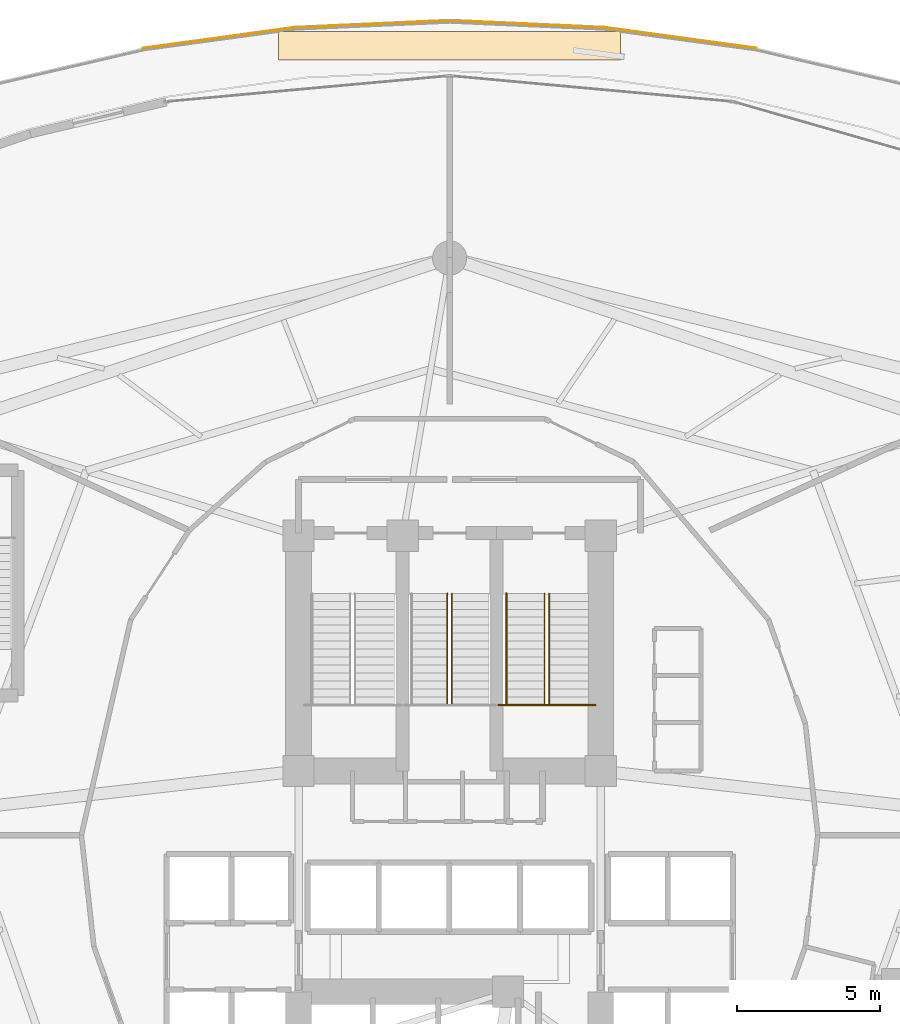
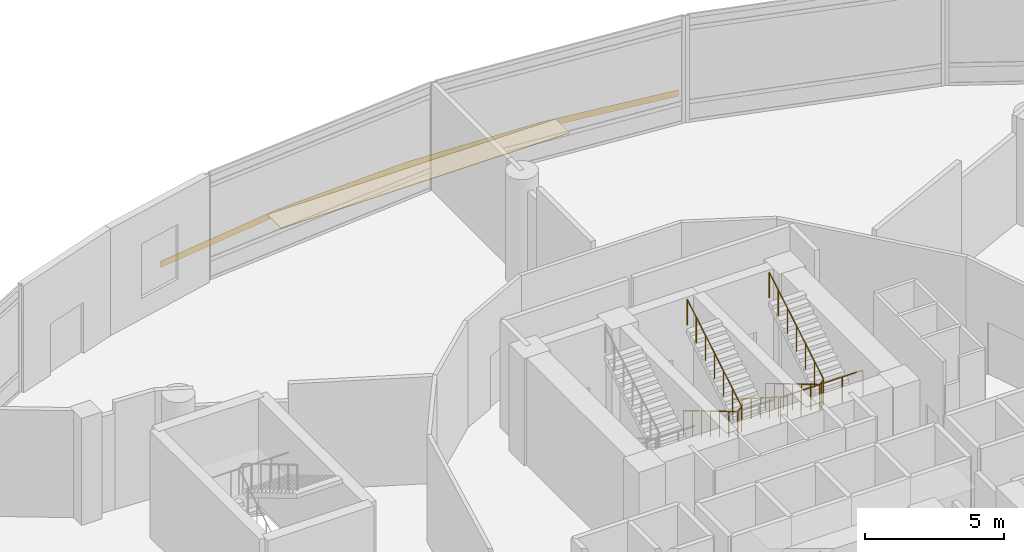
# One storey, part 35 of 37: 4 railings, 2 coverings.
"""IFC4 building model written with IfcOpenShell, lengths in metres."""

from ifc_helpers import new_model, si_unit, direction, frame, origin, place, context, subcontext, project, spatial, polyline, outline, extrude, material, layer, layer_set, type_object, element, save


model = new_model("IFC4")

# Units and contexts
model_context = context("Model", 3, precision=1e-05, world=origin(), true_north=direction((0.0, 1.0)))
body_context = subcontext(model_context, "Body", "Model", "MODEL_VIEW")
ifc_project = project(units=[si_unit("LENGTHUNIT", "METRE"), si_unit("AREAUNIT", "SQUARE_METRE"), si_unit("VOLUMEUNIT", "CUBIC_METRE"), si_unit("PLANEANGLEUNIT", "RADIAN"), si_unit("MASSUNIT", "GRAM", prefix="KILO")], contexts=[model_context])

# Site, building, storey
site_placement = place(None, origin())
site = spatial("IfcSite", under=ifc_project, at=site_placement, CompositionType="ELEMENT")
building_placement = place(site_placement, origin())
building = spatial("IfcBuilding", under=site, at=building_placement, Name="Nuhasar Tower", CompositionType="ELEMENT")
storey_placement = place(building_placement, frame((0.0, 0.0, 6.0)))
storey = spatial("IfcBuildingStorey", under=building, at=storey_placement, Name="L01", CompositionType="ELEMENT", Elevation=6.0)

# Coverings
ifc_material_1 = material(Name="Aluminium 6063-T6", Category="aluminium")
ifc_layer_1 = layer(ifc_material_1, 0.014892578125)
ifc_layer_set_1 = layer_set([ifc_layer_1], Name="Aluminium 6063-T6")
covering_type_1 = type_object("IfcCoveringType", Name="COV-CLD-BRZ15", PredefinedType="CLADDING", material=ifc_layer_set_1)
covering_1_placement = place(storey_placement, frame((0.0, 0.0, -0.280029296875)))
element("IfcCovering", 1, at=covering_1_placement, inside=storey, type_object=covering_type_1, Name="L01 Bustan Terrace Bronze Fascia Cladding North", PredefinedType="CLADDING", context=body_context, shape_type="SweptSolid", body=[
    extrude(outline(polyline([(49.76708984375, 54.425048828125), (44.429931640625, 55.155029296875), (39.0, 55.39990234375), (33.570068359375, 55.155029296875), (28.23291015625, 54.425048828125), (28.237060546875, 54.410888671875), (33.572021484375, 55.139892578125), (39.0, 55.385009765625), (44.427978515625, 55.139892578125), (49.762939453125, 54.410888671875), (49.76708984375, 54.425048828125)])), origin(), (0.0, 0.0, 1.0), 0.280029296875),
])
ifc_material_2 = material(Name="EPDM Membrane", Category="bitumen")
ifc_layer_2 = layer(ifc_material_2, 0.030029296875)
ifc_layer_set_2 = layer_set([ifc_layer_2], Name="EPDM Membrane")
covering_type_2 = type_object("IfcCoveringType", Name="COV-ROOF-MEM30", PredefinedType="ROOFING", material=ifc_layer_set_2)
covering_2_placement = place(storey_placement, origin())
element("IfcCovering", 2, at=covering_2_placement, inside=storey, type_object=covering_type_2, Name="L01 Waterproofing Roof Membrane Strip 01", PredefinedType="ROOFING", context=body_context, shape_type="SweptSolid", body=[
    extrude(outline(polyline([(33.0, 54.0), (45.0, 54.0), (45.0, 55.0), (33.0, 55.0), (33.0, 54.0)])), origin(), (0.0, 0.0, 1.0), 0.030029296875),
])

# Railings
ifc_material_3 = material(Name="Steel S355", Category="steel")
railing_type_1 = type_object("IfcRailingType", Name="RLG-STAIR-GUARD-1150", PredefinedType="GUARDRAIL", material=ifc_material_3)
railing_1_placement = place(storey_placement, frame((38.919921875, 35.284912109375, 0.1669921875)))
element("IfcRailing", 3, at=railing_1_placement, inside=storey, type_object=railing_type_1, Name="L01 Stair ST-03 Guardrail SLT", PredefinedType="GUARDRAIL", context=body_context, shape_type="SweptSolid", body=[
    extrude(outline(polyline([(0.024169921875, 0.0), (0.01708984375, 0.01708984375), (0.0, 0.024169921875), (-0.01708984375, 0.01708984375), (-0.024169921875, 0.0), (-0.01708984375, -0.01708984375), (0.0, -0.024169921875), (0.01708984375, -0.01708984375), (0.024169921875, 0.0)])), frame((0.0, 0.0, 1.1259765625), z_axis=(0.0, -0.85931976652, 0.511438695121), x_axis=(1.0, 0.0, 0.0)), (0.0, 0.0, 1.0), 4.561767578125),
    extrude(outline(polyline([(0.024169921875, 0.0), (0.01708984375, 0.01708984375), (0.0, 0.024169921875), (-0.01708984375, 0.01708984375), (-0.024169921875, 0.0), (-0.01708984375, -0.01708984375), (0.0, -0.024169921875), (0.01708984375, -0.01708984375), (0.024169921875, 0.0)])), frame((0.0, -3.919921875, 3.458984375), z_axis=(0.692180321226, 0.0, 0.72172460323), x_axis=(0.0, 1.0, 0.0)), (0.0, 0.0, 1.0), 0.2314453125),
    extrude(outline(polyline([(0.024169921875, 0.0), (0.01708984375, 0.01708984375), (0.0, 0.024169921875), (-0.01708984375, 0.01708984375), (-0.024169921875, 0.0), (-0.01708984375, -0.01708984375), (0.0, -0.024169921875), (0.01708984375, -0.01708984375), (0.024169921875, 0.0)])), frame((0.16015625, -3.919921875, 3.6259765625), z_axis=(0.0, 0.85931976652, 0.511438695121), x_axis=(-1.0, 0.0, 0.0)), (0.0, 0.0, 1.0), 4.561767578125),
    extrude(outline(polyline([(0.02099609375, 0.0), (0.014892578125, 0.014892578125), (0.0, 0.02099609375), (-0.014892578125, 0.014892578125), (-0.02099609375, 0.0), (-0.014892578125, -0.014892578125), (0.0, -0.02099609375), (0.014892578125, -0.014892578125), (0.02099609375, 0.0)])), origin(), (0.0, 0.0, 1.0), 1.101806640625),
    extrude(outline(polyline([(0.02099609375, 0.0), (0.014892578125, 0.014892578125), (0.0, 0.02099609375), (-0.014892578125, 0.014892578125), (-0.02099609375, 0.0), (-0.014892578125, -0.014892578125), (0.0, -0.02099609375), (0.014892578125, -0.014892578125), (0.02099609375, 0.0)])), frame((0.0, -0.6533203125, 0.388916015625)), (0.0, 0.0, 1.0), 1.101806640625),
    extrude(outline(polyline([(0.02099609375, 0.0), (0.014892578125, 0.014892578125), (0.0, 0.02099609375), (-0.014892578125, 0.014892578125), (-0.02099609375, 0.0), (-0.014892578125, -0.014892578125), (0.0, -0.02099609375), (0.014892578125, -0.014892578125), (0.02099609375, 0.0)])), frame((0.0, -1.306640625, 0.777587890625)), (0.0, 0.0, 1.0), 1.101806640625),
    extrude(outline(polyline([(0.02099609375, 0.0), (0.014892578125, 0.014892578125), (0.0, 0.02099609375), (-0.014892578125, 0.014892578125), (-0.02099609375, 0.0), (-0.014892578125, -0.014892578125), (0.0, -0.02099609375), (0.014892578125, -0.014892578125), (0.02099609375, 0.0)])), frame((0.0, -1.9599609375, 1.16650390625)), (0.0, 0.0, 1.0), 1.101806640625),
    extrude(outline(polyline([(0.02099609375, 0.0), (0.014892578125, 0.014892578125), (0.0, 0.02099609375), (-0.014892578125, 0.014892578125), (-0.02099609375, 0.0), (-0.014892578125, -0.014892578125), (0.0, -0.02099609375), (0.014892578125, -0.014892578125), (0.02099609375, 0.0)])), frame((0.0, -2.61328125, 1.555419921875)), (0.0, 0.0, 1.0), 1.101806640625),
    extrude(outline(polyline([(0.02099609375, 0.0), (0.014892578125, 0.014892578125), (0.0, 0.02099609375), (-0.014892578125, 0.014892578125), (-0.02099609375, 0.0), (-0.014892578125, -0.014892578125), (0.0, -0.02099609375), (0.014892578125, -0.014892578125), (0.02099609375, 0.0)])), frame((0.0, -3.2666015625, 1.944091796875)), (0.0, 0.0, 1.0), 1.101806640625),
    extrude(outline(polyline([(0.02099609375, 0.0), (0.014892578125, 0.014892578125), (0.0, 0.02099609375), (-0.014892578125, 0.014892578125), (-0.02099609375, 0.0), (-0.014892578125, -0.014892578125), (0.0, -0.02099609375), (0.014892578125, -0.014892578125), (0.02099609375, 0.0)])), frame((0.0, -3.919921875, 2.3330078125)), (0.0, 0.0, 1.0), 1.101806640625),
    extrude(outline(polyline([(0.02099609375, 0.0), (0.014892578125, 0.014892578125), (0.0, 0.02099609375), (-0.014892578125, 0.014892578125), (-0.02099609375, 0.0), (-0.014892578125, -0.014892578125), (0.0, -0.02099609375), (0.014892578125, -0.014892578125), (0.02099609375, 0.0)])), frame((0.16015625, -3.919921875, 2.5)), (0.0, 0.0, 1.0), 1.101806640625),
    extrude(outline(polyline([(0.02099609375, 0.0), (0.014892578125, 0.014892578125), (0.0, 0.02099609375), (-0.014892578125, 0.014892578125), (-0.02099609375, 0.0), (-0.014892578125, -0.014892578125), (0.0, -0.02099609375), (0.014892578125, -0.014892578125), (0.02099609375, 0.0)])), frame((0.16015625, -3.2666015625, 2.888916015625)), (0.0, 0.0, 1.0), 1.101806640625),
    extrude(outline(polyline([(0.02099609375, 0.0), (0.014892578125, 0.014892578125), (0.0, 0.02099609375), (-0.014892578125, 0.014892578125), (-0.02099609375, 0.0), (-0.014892578125, -0.014892578125), (0.0, -0.02099609375), (0.014892578125, -0.014892578125), (0.02099609375, 0.0)])), frame((0.16015625, -2.61328125, 3.277587890625)), (0.0, 0.0, 1.0), 1.101806640625),
    extrude(outline(polyline([(0.02099609375, 0.0), (0.014892578125, 0.014892578125), (0.0, 0.02099609375), (-0.014892578125, 0.014892578125), (-0.02099609375, 0.0), (-0.014892578125, -0.014892578125), (0.0, -0.02099609375), (0.014892578125, -0.014892578125), (0.02099609375, 0.0)])), frame((0.16015625, -1.9599609375, 3.66650390625)), (0.0, 0.0, 1.0), 1.101806640625),
    extrude(outline(polyline([(0.02099609375, 0.0), (0.014892578125, 0.014892578125), (0.0, 0.02099609375), (-0.014892578125, 0.014892578125), (-0.02099609375, 0.0), (-0.014892578125, -0.014892578125), (0.0, -0.02099609375), (0.014892578125, -0.014892578125), (0.02099609375, 0.0)])), frame((0.16015625, -1.306640625, 4.055419921875)), (0.0, 0.0, 1.0), 1.101806640625),
    extrude(outline(polyline([(0.02099609375, 0.0), (0.014892578125, 0.014892578125), (0.0, 0.02099609375), (-0.014892578125, 0.014892578125), (-0.02099609375, 0.0), (-0.014892578125, -0.014892578125), (0.0, -0.02099609375), (0.014892578125, -0.014892578125), (0.02099609375, 0.0)])), frame((0.16015625, -0.6533203125, 4.444091796875)), (0.0, 0.0, 1.0), 1.101806640625),
    extrude(outline(polyline([(0.02099609375, 0.0), (0.014892578125, 0.014892578125), (0.0, 0.02099609375), (-0.014892578125, 0.014892578125), (-0.02099609375, 0.0), (-0.014892578125, -0.014892578125), (0.0, -0.02099609375), (0.014892578125, -0.014892578125), (0.02099609375, 0.0)])), frame((0.16015625, 0.0, 4.8330078125)), (0.0, 0.0, 1.0), 1.101806640625),
])
railing_2_placement = place(storey_placement, frame((40.699951171875, 31.364990234375, 2.5)))
element("IfcRailing", 4, at=railing_2_placement, inside=storey, type_object=railing_type_1, Name="L01 Stair ST-02 Guardrail LND", PredefinedType="GUARDRAIL", context=body_context, shape_type="SweptSolid", body=[
    extrude(outline(polyline([(0.024169921875, 0.0), (0.01708984375, 0.01708984375), (0.0, 0.024169921875), (-0.01708984375, 0.01708984375), (-0.024169921875, 0.0), (-0.01708984375, -0.01708984375), (0.0, -0.024169921875), (0.01708984375, -0.01708984375), (0.024169921875, 0.0)])), frame((0.0, 0.0, 1.1259765625), z_axis=(1.0, 0.0, 0.0), x_axis=(0.0, 1.0, 0.0)), (0.0, 0.0, 1.0), 3.420166015625),
    extrude(outline(polyline([(0.02099609375, 0.0), (0.014892578125, 0.014892578125), (0.0, 0.02099609375), (-0.014892578125, 0.014892578125), (-0.02099609375, 0.0), (-0.014892578125, -0.014892578125), (0.0, -0.02099609375), (0.014892578125, -0.014892578125), (0.02099609375, 0.0)])), origin(), (0.0, 0.0, 1.0), 1.101806640625),
    extrude(outline(polyline([(0.02099609375, 0.0), (0.014892578125, 0.014892578125), (0.0, 0.02099609375), (-0.014892578125, 0.014892578125), (-0.02099609375, 0.0), (-0.014892578125, -0.014892578125), (0.0, -0.02099609375), (0.014892578125, -0.014892578125), (0.02099609375, 0.0)])), frame((0.85498046875, 0.0, 0.0)), (0.0, 0.0, 1.0), 1.101806640625),
    extrude(outline(polyline([(0.02099609375, 0.0), (0.014892578125, 0.014892578125), (0.0, 0.02099609375), (-0.014892578125, 0.014892578125), (-0.02099609375, 0.0), (-0.014892578125, -0.014892578125), (0.0, -0.02099609375), (0.014892578125, -0.014892578125), (0.02099609375, 0.0)])), frame((1.7099609375, 0.0, 0.0)), (0.0, 0.0, 1.0), 1.101806640625),
    extrude(outline(polyline([(0.02099609375, 0.0), (0.014892578125, 0.014892578125), (0.0, 0.02099609375), (-0.014892578125, 0.014892578125), (-0.02099609375, 0.0), (-0.014892578125, -0.014892578125), (0.0, -0.02099609375), (0.014892578125, -0.014892578125), (0.02099609375, 0.0)])), frame((2.565185546875, 0.0, 0.0)), (0.0, 0.0, 1.0), 1.101806640625),
    extrude(outline(polyline([(0.02099609375, 0.0), (0.014892578125, 0.014892578125), (0.0, 0.02099609375), (-0.014892578125, 0.014892578125), (-0.02099609375, 0.0), (-0.014892578125, -0.014892578125), (0.0, -0.02099609375), (0.014892578125, -0.014892578125), (0.02099609375, 0.0)])), frame((3.420166015625, 0.0, 0.0)), (0.0, 0.0, 1.0), 1.101806640625),
])
railing_3_placement = place(storey_placement, frame((42.330078125, 35.284912109375, 0.1669921875)))
element("IfcRailing", 5, at=railing_3_placement, inside=storey, type_object=railing_type_1, Name="L01 Stair ST-02 Guardrail SLT", PredefinedType="GUARDRAIL", context=body_context, shape_type="SweptSolid", body=[
    extrude(outline(polyline([(0.024169921875, 0.0), (0.01708984375, 0.01708984375), (0.0, 0.024169921875), (-0.01708984375, 0.01708984375), (-0.024169921875, 0.0), (-0.01708984375, -0.01708984375), (0.0, -0.024169921875), (0.01708984375, -0.01708984375), (0.024169921875, 0.0)])), frame((0.0, 0.0, 1.1259765625), z_axis=(0.0, -0.85931976652, 0.511438695121), x_axis=(1.0, 0.0, 0.0)), (0.0, 0.0, 1.0), 4.561767578125),
    extrude(outline(polyline([(0.024169921875, 0.0), (0.01708984375, 0.01708984375), (0.0, 0.024169921875), (-0.01708984375, 0.01708984375), (-0.024169921875, 0.0), (-0.01708984375, -0.01708984375), (0.0, -0.024169921875), (0.01708984375, -0.01708984375), (0.024169921875, 0.0)])), frame((0.0, -3.919921875, 3.458984375), z_axis=(0.691630103864, 0.0, 0.722251894722), x_axis=(0.0, 1.0, 0.0)), (0.0, 0.0, 1.0), 0.231201171875),
    extrude(outline(polyline([(0.024169921875, 0.0), (0.01708984375, 0.01708984375), (0.0, 0.024169921875), (-0.01708984375, 0.01708984375), (-0.024169921875, 0.0), (-0.01708984375, -0.01708984375), (0.0, -0.024169921875), (0.01708984375, -0.01708984375), (0.024169921875, 0.0)])), frame((0.159912109375, -3.919921875, 3.6259765625), z_axis=(0.0, 0.85931976652, 0.511438695121), x_axis=(-1.0, 0.0, 0.0)), (0.0, 0.0, 1.0), 4.561767578125),
    extrude(outline(polyline([(0.02099609375, 0.0), (0.014892578125, 0.014892578125), (0.0, 0.02099609375), (-0.014892578125, 0.014892578125), (-0.02099609375, 0.0), (-0.014892578125, -0.014892578125), (0.0, -0.02099609375), (0.014892578125, -0.014892578125), (0.02099609375, 0.0)])), origin(), (0.0, 0.0, 1.0), 1.101806640625),
    extrude(outline(polyline([(0.02099609375, 0.0), (0.014892578125, 0.014892578125), (0.0, 0.02099609375), (-0.014892578125, 0.014892578125), (-0.02099609375, 0.0), (-0.014892578125, -0.014892578125), (0.0, -0.02099609375), (0.014892578125, -0.014892578125), (0.02099609375, 0.0)])), frame((0.0, -0.6533203125, 0.388916015625)), (0.0, 0.0, 1.0), 1.101806640625),
    extrude(outline(polyline([(0.02099609375, 0.0), (0.014892578125, 0.014892578125), (0.0, 0.02099609375), (-0.014892578125, 0.014892578125), (-0.02099609375, 0.0), (-0.014892578125, -0.014892578125), (0.0, -0.02099609375), (0.014892578125, -0.014892578125), (0.02099609375, 0.0)])), frame((0.0, -1.306640625, 0.777587890625)), (0.0, 0.0, 1.0), 1.101806640625),
    extrude(outline(polyline([(0.02099609375, 0.0), (0.014892578125, 0.014892578125), (0.0, 0.02099609375), (-0.014892578125, 0.014892578125), (-0.02099609375, 0.0), (-0.014892578125, -0.014892578125), (0.0, -0.02099609375), (0.014892578125, -0.014892578125), (0.02099609375, 0.0)])), frame((0.0, -1.9599609375, 1.16650390625)), (0.0, 0.0, 1.0), 1.101806640625),
    extrude(outline(polyline([(0.02099609375, 0.0), (0.014892578125, 0.014892578125), (0.0, 0.02099609375), (-0.014892578125, 0.014892578125), (-0.02099609375, 0.0), (-0.014892578125, -0.014892578125), (0.0, -0.02099609375), (0.014892578125, -0.014892578125), (0.02099609375, 0.0)])), frame((0.0, -2.61328125, 1.555419921875)), (0.0, 0.0, 1.0), 1.101806640625),
    extrude(outline(polyline([(0.02099609375, 0.0), (0.014892578125, 0.014892578125), (0.0, 0.02099609375), (-0.014892578125, 0.014892578125), (-0.02099609375, 0.0), (-0.014892578125, -0.014892578125), (0.0, -0.02099609375), (0.014892578125, -0.014892578125), (0.02099609375, 0.0)])), frame((0.0, -3.2666015625, 1.944091796875)), (0.0, 0.0, 1.0), 1.101806640625),
    extrude(outline(polyline([(0.02099609375, 0.0), (0.014892578125, 0.014892578125), (0.0, 0.02099609375), (-0.014892578125, 0.014892578125), (-0.02099609375, 0.0), (-0.014892578125, -0.014892578125), (0.0, -0.02099609375), (0.014892578125, -0.014892578125), (0.02099609375, 0.0)])), frame((0.0, -3.919921875, 2.3330078125)), (0.0, 0.0, 1.0), 1.101806640625),
    extrude(outline(polyline([(0.02099609375, 0.0), (0.014892578125, 0.014892578125), (0.0, 0.02099609375), (-0.014892578125, 0.014892578125), (-0.02099609375, 0.0), (-0.014892578125, -0.014892578125), (0.0, -0.02099609375), (0.014892578125, -0.014892578125), (0.02099609375, 0.0)])), frame((0.159912109375, -3.919921875, 2.5)), (0.0, 0.0, 1.0), 1.101806640625),
    extrude(outline(polyline([(0.02099609375, 0.0), (0.014892578125, 0.014892578125), (0.0, 0.02099609375), (-0.014892578125, 0.014892578125), (-0.02099609375, 0.0), (-0.014892578125, -0.014892578125), (0.0, -0.02099609375), (0.014892578125, -0.014892578125), (0.02099609375, 0.0)])), frame((0.159912109375, -3.2666015625, 2.888916015625)), (0.0, 0.0, 1.0), 1.101806640625),
    extrude(outline(polyline([(0.02099609375, 0.0), (0.014892578125, 0.014892578125), (0.0, 0.02099609375), (-0.014892578125, 0.014892578125), (-0.02099609375, 0.0), (-0.014892578125, -0.014892578125), (0.0, -0.02099609375), (0.014892578125, -0.014892578125), (0.02099609375, 0.0)])), frame((0.159912109375, -2.61328125, 3.277587890625)), (0.0, 0.0, 1.0), 1.101806640625),
    extrude(outline(polyline([(0.02099609375, 0.0), (0.014892578125, 0.014892578125), (0.0, 0.02099609375), (-0.014892578125, 0.014892578125), (-0.02099609375, 0.0), (-0.014892578125, -0.014892578125), (0.0, -0.02099609375), (0.014892578125, -0.014892578125), (0.02099609375, 0.0)])), frame((0.159912109375, -1.9599609375, 3.66650390625)), (0.0, 0.0, 1.0), 1.101806640625),
    extrude(outline(polyline([(0.02099609375, 0.0), (0.014892578125, 0.014892578125), (0.0, 0.02099609375), (-0.014892578125, 0.014892578125), (-0.02099609375, 0.0), (-0.014892578125, -0.014892578125), (0.0, -0.02099609375), (0.014892578125, -0.014892578125), (0.02099609375, 0.0)])), frame((0.159912109375, -1.306640625, 4.055419921875)), (0.0, 0.0, 1.0), 1.101806640625),
    extrude(outline(polyline([(0.02099609375, 0.0), (0.014892578125, 0.014892578125), (0.0, 0.02099609375), (-0.014892578125, 0.014892578125), (-0.02099609375, 0.0), (-0.014892578125, -0.014892578125), (0.0, -0.02099609375), (0.014892578125, -0.014892578125), (0.02099609375, 0.0)])), frame((0.159912109375, -0.6533203125, 4.444091796875)), (0.0, 0.0, 1.0), 1.101806640625),
    extrude(outline(polyline([(0.02099609375, 0.0), (0.014892578125, 0.014892578125), (0.0, 0.02099609375), (-0.014892578125, 0.014892578125), (-0.02099609375, 0.0), (-0.014892578125, -0.014892578125), (0.0, -0.02099609375), (0.014892578125, -0.014892578125), (0.02099609375, 0.0)])), frame((0.159912109375, 0.0, 4.8330078125)), (0.0, 0.0, 1.0), 1.101806640625),
])
ifc_material_4 = material(Name="Stainless Steel 316L", Category="steel")
railing_type_2 = type_object("IfcRailingType", Name="RLG-STAIR-HAND-920", PredefinedType="HANDRAIL", material=ifc_material_4)
railing_4_placement = place(storey_placement, frame((40.989990234375, 35.284912109375, 0.1669921875)))
element("IfcRailing", 6, at=railing_4_placement, inside=storey, type_object=railing_type_2, Name="L01 Stair ST-02 Handrail HND1", PredefinedType="HANDRAIL", context=body_context, shape_type="SweptSolid", body=[
    extrude(outline(polyline([(0.024169921875, 0.0), (0.01708984375, 0.01708984375), (0.0, 0.024169921875), (-0.01708984375, 0.01708984375), (-0.024169921875, 0.0), (-0.01708984375, -0.01708984375), (0.0, -0.024169921875), (0.01708984375, -0.01708984375), (0.024169921875, 0.0)])), frame((0.0, 0.0, 0.89599609375), z_axis=(0.0, -0.843124831705, 0.537717879712), x_axis=(1.0, 0.0, 0.0)), (0.0, 0.0, 1.0), 4.649169921875),
    extrude(outline(polyline([(0.02099609375, 0.0), (0.014892578125, 0.014892578125), (0.0, 0.02099609375), (-0.014892578125, 0.014892578125), (-0.02099609375, 0.0), (-0.014892578125, -0.014892578125), (0.0, -0.02099609375), (0.014892578125, -0.014892578125), (0.02099609375, 0.0)])), origin(), (0.0, 0.0, 1.0), 0.871826171875),
    extrude(outline(polyline([(0.02099609375, 0.0), (0.014892578125, 0.014892578125), (0.0, 0.02099609375), (-0.014892578125, 0.014892578125), (-0.02099609375, 0.0), (-0.014892578125, -0.014892578125), (0.0, -0.02099609375), (0.014892578125, -0.014892578125), (0.02099609375, 0.0)])), frame((0.0, -0.6533203125, 0.416748046875)), (0.0, 0.0, 1.0), 0.871826171875),
    extrude(outline(polyline([(0.02099609375, 0.0), (0.014892578125, 0.014892578125), (0.0, 0.02099609375), (-0.014892578125, 0.014892578125), (-0.02099609375, 0.0), (-0.014892578125, -0.014892578125), (0.0, -0.02099609375), (0.014892578125, -0.014892578125), (0.02099609375, 0.0)])), frame((0.0, -1.306640625, 0.833251953125)), (0.0, 0.0, 1.0), 0.871826171875),
    extrude(outline(polyline([(0.02099609375, 0.0), (0.014892578125, 0.014892578125), (0.0, 0.02099609375), (-0.014892578125, 0.014892578125), (-0.02099609375, 0.0), (-0.014892578125, -0.014892578125), (0.0, -0.02099609375), (0.014892578125, -0.014892578125), (0.02099609375, 0.0)])), frame((0.0, -1.9599609375, 1.25)), (0.0, 0.0, 1.0), 0.871826171875),
    extrude(outline(polyline([(0.02099609375, 0.0), (0.014892578125, 0.014892578125), (0.0, 0.02099609375), (-0.014892578125, 0.014892578125), (-0.02099609375, 0.0), (-0.014892578125, -0.014892578125), (0.0, -0.02099609375), (0.014892578125, -0.014892578125), (0.02099609375, 0.0)])), frame((0.0, -2.61328125, 1.666748046875)), (0.0, 0.0, 1.0), 0.871826171875),
    extrude(outline(polyline([(0.02099609375, 0.0), (0.014892578125, 0.014892578125), (0.0, 0.02099609375), (-0.014892578125, 0.014892578125), (-0.02099609375, 0.0), (-0.014892578125, -0.014892578125), (0.0, -0.02099609375), (0.014892578125, -0.014892578125), (0.02099609375, 0.0)])), frame((0.0, -3.2666015625, 2.083251953125)), (0.0, 0.0, 1.0), 0.871826171875),
    extrude(outline(polyline([(0.02099609375, 0.0), (0.014892578125, 0.014892578125), (0.0, 0.02099609375), (-0.014892578125, 0.014892578125), (-0.02099609375, 0.0), (-0.014892578125, -0.014892578125), (0.0, -0.02099609375), (0.014892578125, -0.014892578125), (0.02099609375, 0.0)])), frame((0.0, -3.919921875, 2.5)), (0.0, 0.0, 1.0), 0.871826171875),
])

save(model, "model.ifc")
